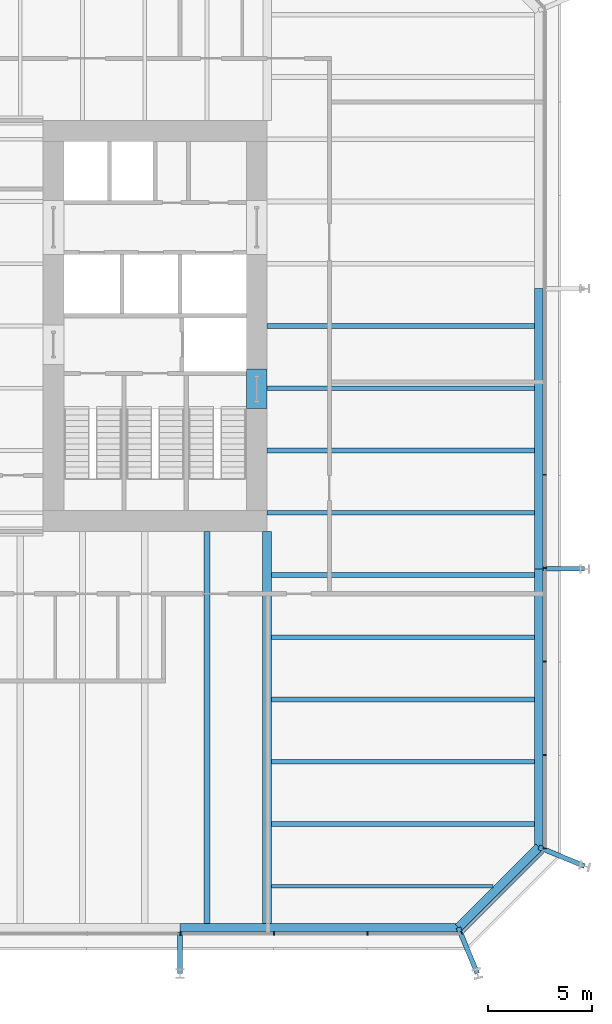
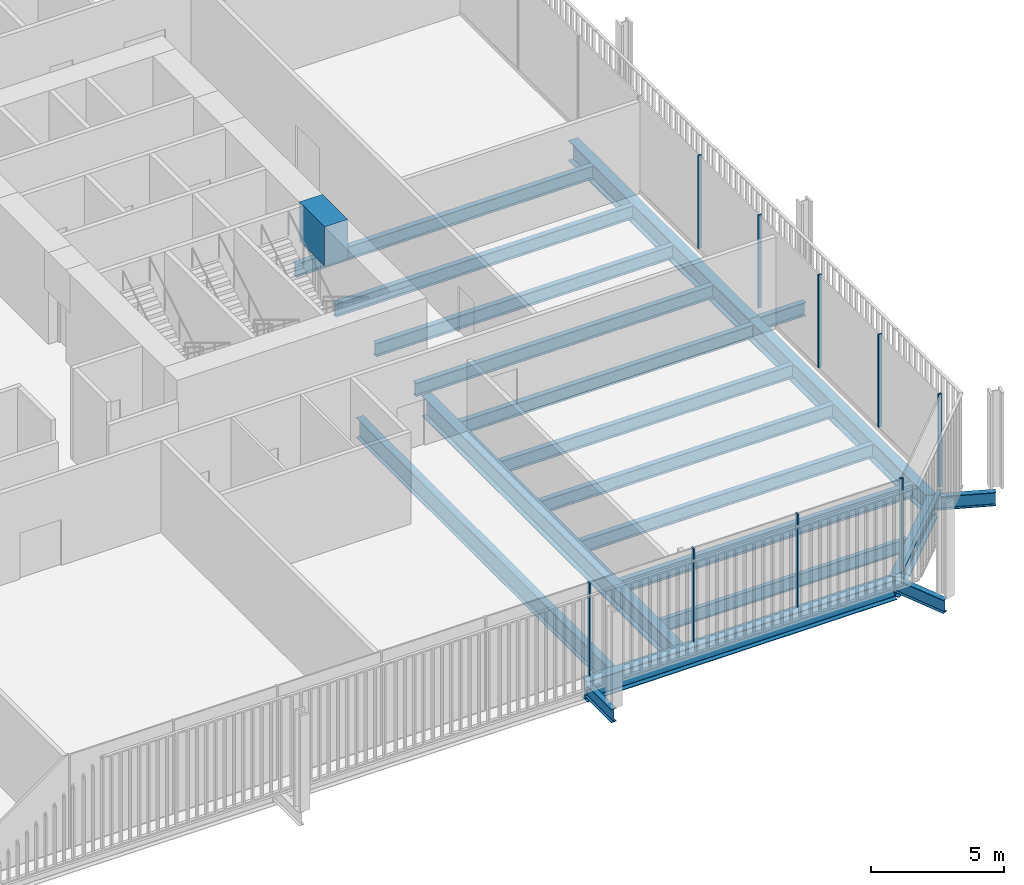
# One storey, part 8 of 20: 21 beams, 10 members, 3 elements without a shape of their own.
"""IFC4 building model written with IfcOpenShell, lengths in metres."""

from ifc_helpers import new_model, si_unit, direction, frame, origin, origin_2d, place, context, subcontext, project, spatial, rectangle, i_section, extrude, material, layer, layer_set, material_profile, profile_set, type_object, element, aggregate, save


model = new_model("IFC4")

# Units and contexts
model_context = context("Model", 3, precision=1e-05, world=origin(), true_north=direction((0.0, 1.0)))
body_context = subcontext(model_context, "Body", "Model", "MODEL_VIEW")
ifc_project = project(units=[si_unit("LENGTHUNIT", "METRE"), si_unit("AREAUNIT", "SQUARE_METRE"), si_unit("VOLUMEUNIT", "CUBIC_METRE"), si_unit("PLANEANGLEUNIT", "RADIAN"), si_unit("MASSUNIT", "GRAM", prefix="KILO")], contexts=[model_context])

# Site, building, storey
site_placement = place(None, origin())
site = spatial("IfcSite", under=ifc_project, at=site_placement, CompositionType="ELEMENT")
building_placement = place(site_placement, origin())
building = spatial("IfcBuilding", under=site, at=building_placement, Name="Millrace Tower", CompositionType="ELEMENT")
storey_placement = place(building_placement, frame((0.0, 0.0, 77.60009765625)))
storey = spatial("IfcBuildingStorey", under=building, at=storey_placement, Name="L17", CompositionType="ELEMENT", Elevation=77.60009765625)

# Curtain wall, members
ifc_material_1 = material(Name="Aluminium and glass", Category="aluminium")
ifc_layer = layer(ifc_material_1, 0.14990234375)
ifc_layer_set = layer_set([ifc_layer], Name="Aluminium and glass")
curtain_wall_type = type_object("IfcCurtainWallType", Name="CW-3 telecom floor curtain wall", PredefinedType="NOTDEFINED", material=ifc_layer_set)
placement = place(storey_placement, origin())
curtain_wall_1 = element("IfcCurtainWall", 1, at=placement, inside=storey, type_object=curtain_wall_type, Name="Curtain wall B-F02 L17", PredefinedType="NOTDEFINED")
ifc_material_2 = material(Name="Aluminium", Category="aluminium")
ifc_material_profile_1 = material_profile(ifc_material_2, rectangle(XDim=0.06494140625, YDim=0.14990234375, at=origin_2d()))
ifc_profile_set_1 = profile_set([ifc_material_profile_1], Name="Aluminium")
member_type_1 = type_object("IfcMemberType", Name="CW-3 telecom floor curtain wall mullion", PredefinedType="MULLION", material=ifc_profile_set_1)
member_1_placement = place(storey_placement, frame((10.732421875, -29.27490234375, 0.14990234375), z_axis=(0.0, 0.0, 1.0), x_axis=(1.0, 0.0, 0.0)))
member_1 = element("IfcMember", 2, at=member_1_placement, type_object=member_type_1, Name="CW3 mullion B-F02.7", PredefinedType="MULLION", context=body_context, shape_type="SweptSolid", body=[
    extrude(rectangle(XDim=0.06494140625, YDim=0.14990234375, at=origin_2d()), origin(), (0.0, 0.0, 1.0), 4.25),
])
member_2_placement = place(storey_placement, frame((15.232421875, -29.27490234375, 0.14990234375), z_axis=(0.0, 0.0, 1.0), x_axis=(1.0, 0.0, 0.0)))
member_2 = element("IfcMember", 3, at=member_2_placement, type_object=member_type_1, Name="CW3 mullion B-F02.8", PredefinedType="MULLION", context=body_context, shape_type="SweptSolid", body=[
    extrude(rectangle(XDim=0.06494140625, YDim=0.14990234375, at=origin_2d()), origin(), (0.0, 0.0, 1.0), 4.25),
])
member_3_placement = place(storey_placement, frame((19.732421875, -29.27490234375, 0.14990234375), z_axis=(0.0, 0.0, 1.0), x_axis=(1.0, 0.0, 0.0)))
member_3 = element("IfcMember", 4, at=member_3_placement, type_object=member_type_1, Name="CW3 mullion B-F02.9", PredefinedType="MULLION", context=body_context, shape_type="SweptSolid", body=[
    extrude(rectangle(XDim=0.06494140625, YDim=0.14990234375, at=origin_2d()), origin(), (0.0, 0.0, 1.0), 4.25),
])
aggregate(curtain_wall_1, [member_1, member_2, member_3])

# Curtain wall, member
curtain_wall_2 = element("IfcCurtainWall", 5, at=placement, inside=storey, type_object=curtain_wall_type, Name="Curtain wall B-F03 L17", PredefinedType="NOTDEFINED")
member_4_placement = place(storey_placement, frame((24.276123046875, -29.22998046875, 0.14990234375), z_axis=(0.0, 0.0, 1.0), x_axis=(0.707106781187, 0.707106781187, 0.0)))
member_4 = element("IfcMember", 6, at=member_4_placement, type_object=member_type_1, Name="CW3 mullion B-F03.1", PredefinedType="MULLION", context=body_context, shape_type="SweptSolid", body=[
    extrude(rectangle(XDim=0.06494140625, YDim=0.14990234375, at=origin_2d()), origin(), (0.0, 0.0, 1.0), 4.25),
])

# Curtain wall, members
curtain_wall_3 = element("IfcCurtainWall", 7, at=placement, inside=storey, type_object=curtain_wall_type, Name="Curtain wall B-F04 L17", PredefinedType="NOTDEFINED")
member_5_placement = place(storey_placement, frame((28.27490234375, -25.16748046875, 0.14990234375), z_axis=(0.0, 0.0, 1.0), x_axis=(0.0, 1.0, 0.0)))
member_5 = element("IfcMember", 8, at=member_5_placement, type_object=member_type_1, Name="CW3 mullion B-F04.1", PredefinedType="MULLION", context=body_context, shape_type="SweptSolid", body=[
    extrude(rectangle(XDim=0.06494140625, YDim=0.14990234375, at=origin_2d()), origin(), (0.0, 0.0, 1.0), 4.25),
])
member_6_placement = place(storey_placement, frame((28.27490234375, -20.66748046875, 0.14990234375), z_axis=(0.0, 0.0, 1.0), x_axis=(0.0, 1.0, 0.0)))
member_6 = element("IfcMember", 9, at=member_6_placement, type_object=member_type_1, Name="CW3 mullion B-F04.2", PredefinedType="MULLION", context=body_context, shape_type="SweptSolid", body=[
    extrude(rectangle(XDim=0.06494140625, YDim=0.14990234375, at=origin_2d()), origin(), (0.0, 0.0, 1.0), 4.25),
])
member_7_placement = place(storey_placement, frame((28.27490234375, -16.16748046875, 0.14990234375), z_axis=(0.0, 0.0, 1.0), x_axis=(0.0, 1.0, 0.0)))
member_7 = element("IfcMember", 10, at=member_7_placement, type_object=member_type_1, Name="CW3 mullion B-F04.3", PredefinedType="MULLION", context=body_context, shape_type="SweptSolid", body=[
    extrude(rectangle(XDim=0.06494140625, YDim=0.14990234375, at=origin_2d()), origin(), (0.0, 0.0, 1.0), 4.25),
])
member_8_placement = place(storey_placement, frame((28.27490234375, -11.66748046875, 0.14990234375), z_axis=(0.0, 0.0, 1.0), x_axis=(0.0, 1.0, 0.0)))
member_8 = element("IfcMember", 11, at=member_8_placement, type_object=member_type_1, Name="CW3 mullion B-F04.4", PredefinedType="MULLION", context=body_context, shape_type="SweptSolid", body=[
    extrude(rectangle(XDim=0.06494140625, YDim=0.14990234375, at=origin_2d()), origin(), (0.0, 0.0, 1.0), 4.25),
])
member_9_placement = place(storey_placement, frame((28.27490234375, -7.16748046875, 0.14990234375), z_axis=(0.0, 0.0, 1.0), x_axis=(0.0, 1.0, 0.0)))
member_9 = element("IfcMember", 12, at=member_9_placement, type_object=member_type_1, Name="CW3 mullion B-F04.5", PredefinedType="MULLION", context=body_context, shape_type="SweptSolid", body=[
    extrude(rectangle(XDim=0.06494140625, YDim=0.14990234375, at=origin_2d()), origin(), (0.0, 0.0, 1.0), 4.25),
])
aggregate(curtain_wall_3, [member_5, member_6, member_7, member_8, member_9])

# Member
ifc_material_3 = material(Name="Aluminium", Category="aluminium")
ifc_material_profile_2 = material_profile(ifc_material_3, rectangle(XDim=0.14990234375, YDim=0.14990234375, at=origin_2d()))
ifc_profile_set_2 = profile_set([ifc_material_profile_2], Name="Aluminium")
member_type_2 = type_object("IfcMemberType", Name="CW-3 telecom floor curtain wall transom", PredefinedType="USERDEFINED", material=ifc_profile_set_2)
member_10_placement = place(storey_placement, frame((24.32373046875, -29.182373046875, 0.074951171875), z_axis=(0.707106781187, 0.707106781187, 0.0), x_axis=(-0.707106781187, 0.707106781187, 0.0)))
member_10 = element("IfcMember", 13, at=member_10_placement, type_object=member_type_2, Name="CW3 transom B-F03.1", ObjectType="TRANSOM", PredefinedType="USERDEFINED", context=body_context, shape_type="SweptSolid", body=[
    extrude(rectangle(XDim=0.14990234375, YDim=0.14990234375, at=origin_2d()), origin(), (0.0, 0.0, 1.0), 5.45703125),
])

aggregate(curtain_wall_2, [member_4, member_10])

# Beams
ifc_material_4 = material(Name="Concrete C80", Category="concrete")
ifc_material_profile_3 = material_profile(ifc_material_4, rectangle(XDim=1.0, YDim=1.800048828125, at=origin_2d()))
ifc_profile_set_3 = profile_set([ifc_material_profile_3], Name="Concrete C80")
beam_type_1 = type_object("IfcBeamType", Name="Coupling beam 1000 x 1800 Concrete C80, 1300 opening", PredefinedType="BEAM", material=ifc_profile_set_3)
beam_1_placement = place(storey_placement, frame((14.39990234375, -2.080078125, 3.2998046875), z_axis=(0.0, -1.0, 0.0), x_axis=(1.0, 0.0, 0.0)))
element("IfcBeam", 14, at=beam_1_placement, inside=storey, type_object=beam_type_1, Name="Coupling beam E L17", PredefinedType="BEAM", context=body_context, shape_type="SweptSolid", body=[
    extrude(rectangle(XDim=1.0, YDim=1.800048828125, at=origin_2d()), origin(), (0.0, 0.0, 1.0), 1.89990234375),
])
ifc_material_5 = material(Name="Steel ASTM A992 Grade 50", Category="steel")
ifc_material_profile_4 = material_profile(ifc_material_5, i_section(OverallWidth=0.1787109375, OverallDepth=0.60205078125, WebThickness=0.010986328125, FlangeThickness=0.014892578125, FilletRadius=0.0126953125, at=origin_2d()))
ifc_profile_set_4 = profile_set([ifc_material_profile_4], Name="Steel ASTM A992 Grade 50")
beam_type_2 = type_object("IfcBeamType", Name="Floor beam W24x62", PredefinedType="JOIST", material=ifc_profile_set_4)
beam_2_placement = place(storey_placement, frame((15.11083984375, -27.0, -0.5009765625), z_axis=(1.0, 0.0, 0.0), x_axis=(0.0, 1.0, 0.0)))
element("IfcBeam", 15, at=beam_2_placement, inside=storey, type_object=beam_type_2, Name="BM-B-L17-S1-S002", PredefinedType="JOIST", context=body_context, shape_type="SweptSolid", body=[
    extrude(i_section(OverallWidth=0.1787109375, OverallDepth=0.60205078125, WebThickness=0.010986328125, FlangeThickness=0.014892578125, FilletRadius=0.0126953125, at=origin_2d()), origin(), (0.0, 0.0, 1.0), 10.67236328125),
])
ifc_material_6 = material(Name="Steel ASTM A992 Grade 50", Category="steel")
ifc_material_profile_5 = material_profile(ifc_material_6, i_section(OverallWidth=0.228271484375, OverallDepth=0.607177734375, WebThickness=0.01123046875, FlangeThickness=0.017333984375, FilletRadius=0.0126953125, at=origin_2d()))
ifc_profile_set_5 = profile_set([ifc_material_profile_5], Name="Steel ASTM A992 Grade 50")
beam_type_3 = type_object("IfcBeamType", Name="Floor beam W24x76", PredefinedType="JOIST", material=ifc_profile_set_5)
for number, where, z_axis, x_axis, name in (
    (16, (15.11083984375, -24.0, -0.503662109375), (1.0, 0.0, 0.0), (0.0, 1.0, 0.0), "BM-B-L17-S1-S004"),
    (17, (15.11083984375, -21.0, -0.503662109375), (1.0, 0.0, 0.0), (0.0, 1.0, 0.0), "BM-B-L17-S1-S006"),
    (18, (15.11083984375, -18.0, -0.503662109375), (1.0, 0.0, 0.0), (0.0, 1.0, 0.0), "BM-B-L17-S1-S008"),
    (19, (15.11083984375, -15.0, -0.503662109375), (1.0, 0.0, 0.0), (0.0, 1.0, 0.0), "BM-B-L17-S1-S010"),
    (20, (15.11083984375, -12.0, -0.503662109375), (1.0, 0.0, 0.0), (0.0, 1.0, 0.0), "BM-B-L17-S1-S012"),
):
    element("IfcBeam", number, at=place(storey_placement, frame(where, z_axis=z_axis, x_axis=x_axis)), inside=storey, type_object=beam_type_3, Name=name, PredefinedType="JOIST", context=body_context, shape_type="SweptSolid", body=[
        extrude(i_section(OverallWidth=0.228271484375, OverallDepth=0.607177734375, WebThickness=0.01123046875, FlangeThickness=0.017333984375, FilletRadius=0.0126953125, at=origin_2d()), origin(), (0.0, 0.0, 1.0), 12.670166015625),
    ])
for number, where, z_axis, x_axis, name in (
    (21, (14.89990234375, -9.0, -0.503662109375), (1.0, 0.0, 0.0), (0.0, 1.0, 0.0), "BM-B-L17-S1-S015"),
    (22, (14.89990234375, -6.0, -0.503662109375), (1.0, 0.0, 0.0), (0.0, 1.0, 0.0), "BM-B-L17-S1-S018"),
    (23, (14.89990234375, -3.0, -0.503662109375), (1.0, 0.0, 0.0), (0.0, 1.0, 0.0), "BM-B-L17-S1-S021"),
    (24, (14.89990234375, 0.0, -0.503662109375), (1.0, 0.0, 0.0), (0.0, 1.0, 0.0), "BM-B-L17-S1-S024"),
):
    element("IfcBeam", number, at=place(storey_placement, frame(where, z_axis=z_axis, x_axis=x_axis)), inside=storey, type_object=beam_type_3, Name=name, PredefinedType="JOIST", context=body_context, shape_type="SweptSolid", body=[
        extrude(i_section(OverallWidth=0.228271484375, OverallDepth=0.607177734375, WebThickness=0.01123046875, FlangeThickness=0.017333984375, FilletRadius=0.0126953125, at=origin_2d()), origin(), (0.0, 0.0, 1.0), 12.881103515625),
    ])
ifc_material_7 = material(Name="Steel ASTM A992 Grade 50", Category="steel")
ifc_material_profile_6 = material_profile(ifc_material_7, i_section(OverallWidth=0.307373046875, OverallDepth=0.927001953125, WebThickness=0.01953125, FlangeThickness=0.031982421875, FilletRadius=0.01904296875, at=origin_2d()))
ifc_profile_set_6 = profile_set([ifc_material_profile_6], Name="Steel ASTM A992 Grade 50")
beam_type_4 = type_object("IfcBeamType", Name="Floor beam W36x194", PredefinedType="JOIST", material=ifc_profile_set_6)
beam_3_placement = place(storey_placement, frame((12.0, -28.781005859375, -0.66357421875), z_axis=(0.0, 1.0, 0.0), x_axis=(-1.0, 0.0, 0.0)))
element("IfcBeam", 25, at=beam_3_placement, inside=storey, type_object=beam_type_4, Name="BM-B-L17-S1-S057", PredefinedType="JOIST", context=body_context, shape_type="SweptSolid", body=[
    extrude(i_section(OverallWidth=0.307373046875, OverallDepth=0.927001953125, WebThickness=0.01953125, FlangeThickness=0.031982421875, FilletRadius=0.01904296875, at=origin_2d()), origin(), (0.0, 0.0, 1.0), 18.881103515625),
])
ifc_material_8 = material(Name="Steel ASTM A992 Grade 50", Category="steel")
ifc_material_profile_7 = material_profile(ifc_material_8, i_section(OverallWidth=0.424072265625, OverallDepth=0.947509765625, WebThickness=0.02392578125, FlangeThickness=0.042724609375, FilletRadius=0.024169921875, at=origin_2d()))
ifc_profile_set_7 = profile_set([ifc_material_profile_7], Name="Steel ASTM A992 Grade 50")
beam_type_5 = type_object("IfcBeamType", Name="Girder medium span W36x302", PredefinedType="BEAM", material=ifc_profile_set_7)
beam_4_placement = place(storey_placement, frame((14.89990234375, -28.781005859375, -0.673828125), z_axis=(0.0, 1.0, 0.0), x_axis=(-1.0, 0.0, 0.0)))
element("IfcBeam", 26, at=beam_4_placement, inside=storey, type_object=beam_type_5, Name="BM-B-L17-S1-G061", PredefinedType="BEAM", context=body_context, shape_type="SweptSolid", body=[
    extrude(i_section(OverallWidth=0.424072265625, OverallDepth=0.947509765625, WebThickness=0.02392578125, FlangeThickness=0.042724609375, FilletRadius=0.024169921875, at=origin_2d()), origin(), (0.0, 0.0, 1.0), 18.881103515625),
])
ifc_material_9 = material(Name="Steel ASTM A992 Grade 50", Category="steel")
ifc_material_profile_8 = material_profile(ifc_material_9, i_section(OverallWidth=0.23046875, OverallDepth=0.6171875, WebThickness=0.01318359375, FlangeThickness=0.022216796875, FilletRadius=0.012939453125, at=origin_2d()))
ifc_profile_set_8 = profile_set([ifc_material_profile_8], Name="Steel ASTM A992 Grade 50")
beam_type_6 = type_object("IfcBeamType", Name="Link beam W24x94", PredefinedType="BEAM", material=ifc_profile_set_8)
beam_5_placement = place(storey_placement, frame((28.199951171875, -11.699951171875, -0.5087890625), z_axis=(1.0, 0.0, 0.0), x_axis=(0.0, 1.0, 0.0)))
element("IfcBeam", 27, at=beam_5_placement, inside=storey, type_object=beam_type_6, Name="LNK-B-L17-S1-11", PredefinedType="BEAM", context=body_context, shape_type="SweptSolid", body=[
    extrude(i_section(OverallWidth=0.23046875, OverallDepth=0.6171875, WebThickness=0.01318359375, FlangeThickness=0.022216796875, FilletRadius=0.012939453125, at=origin_2d()), origin(), (0.0, 0.0, 1.0), 2.0),
])
for number, where, z_axis, x_axis, name in (
    (28, (27.990478515625, -25.11328125, -0.5087890625), (0.923902368833, -0.382628295954, 0.0), (0.382628295954, 0.923902368833, 0.0), "LNK-B-L17-S1-12"),
    (29, (24.11328125, -28.990478515625, -0.5087890625), (0.382628295954, -0.923902368833, 0.0), (0.923902368833, 0.382628295954, 0.0), "LNK-B-L17-S1-13"),
):
    element("IfcBeam", number, at=place(storey_placement, frame(where, z_axis=z_axis, x_axis=x_axis)), inside=storey, type_object=beam_type_6, Name=name, PredefinedType="BEAM", context=body_context, shape_type="SweptSolid", body=[
        extrude(i_section(OverallWidth=0.23046875, OverallDepth=0.6171875, WebThickness=0.01318359375, FlangeThickness=0.022216796875, FilletRadius=0.012939453125, at=origin_2d()), origin(), (0.0, 0.0, 1.0), 2.391357421875),
    ])
beam_6_placement = place(storey_placement, frame((10.699951171875, -29.199951171875, -0.5087890625), z_axis=(0.0, -1.0, 0.0), x_axis=(1.0, 0.0, 0.0)))
element("IfcBeam", 30, at=beam_6_placement, inside=storey, type_object=beam_type_6, Name="LNK-B-L17-S1-14", PredefinedType="BEAM", context=body_context, shape_type="SweptSolid", body=[
    extrude(i_section(OverallWidth=0.23046875, OverallDepth=0.6171875, WebThickness=0.01318359375, FlangeThickness=0.022216796875, FilletRadius=0.012939453125, at=origin_2d()), origin(), (0.0, 0.0, 1.0), 2.0),
])
ifc_material_10 = material(Name="Steel ASTM A992 Grade 50", Category="steel")
ifc_material_profile_9 = material_profile(ifc_material_10, i_section(OverallWidth=0.419189453125, OverallDepth=0.927001953125, WebThickness=0.019287109375, FlangeThickness=0.031982421875, FilletRadius=0.024169921875, at=origin_2d()))
ifc_profile_set_9 = profile_set([ifc_material_profile_9], Name="Steel ASTM A992 Grade 50")
beam_type_7 = type_object("IfcBeamType", Name="Ring beam medium span W36x231", PredefinedType="SPANDREL", material=ifc_profile_set_9)
beam_7_placement = place(storey_placement, frame((27.990478515625, 1.800048828125, -0.66357421875), z_axis=(0.0, -1.0, 0.0), x_axis=(1.0, 0.0, 0.0)))
element("IfcBeam", 31, at=beam_7_placement, inside=storey, type_object=beam_type_7, Name="RNG-B-L17-S1-10", PredefinedType="SPANDREL", context=body_context, shape_type="SweptSolid", body=[
    extrude(i_section(OverallWidth=0.419189453125, OverallDepth=0.927001953125, WebThickness=0.019287109375, FlangeThickness=0.031982421875, FilletRadius=0.024169921875, at=origin_2d()), origin(), (0.0, 0.0, 1.0), 13.5),
])
for number, where, z_axis, x_axis, name in (
    (32, (27.990478515625, -11.699951171875, -0.66357421875), (0.0, -1.0, 0.0), (1.0, 0.0, 0.0), "RNG-B-L17-S1-11"),
    (33, (24.11328125, -28.990478515625, -0.66357421875), (-1.0, 0.0, 0.0), (0.0, -1.0, 0.0), "RNG-B-L17-S1-13"),
):
    element("IfcBeam", number, at=place(storey_placement, frame(where, z_axis=z_axis, x_axis=x_axis)), inside=storey, type_object=beam_type_7, Name=name, PredefinedType="SPANDREL", context=body_context, shape_type="SweptSolid", body=[
        extrude(i_section(OverallWidth=0.419189453125, OverallDepth=0.927001953125, WebThickness=0.019287109375, FlangeThickness=0.031982421875, FilletRadius=0.024169921875, at=origin_2d()), origin(), (0.0, 0.0, 1.0), 13.413330078125),
    ])
ifc_material_11 = material(Name="Steel ASTM A992 Grade 50", Category="steel")
ifc_material_profile_10 = material_profile(ifc_material_11, i_section(OverallWidth=0.419189453125, OverallDepth=0.927001953125, WebThickness=0.019287109375, FlangeThickness=0.031982421875, FilletRadius=0.024169921875, at=origin_2d()))
ifc_profile_set_10 = profile_set([ifc_material_profile_10], Name="Steel ASTM A992 Grade 50")
beam_type_8 = type_object("IfcBeamType", Name="Ring beam short span W36x231", PredefinedType="SPANDREL", material=ifc_profile_set_10)
beam_8_placement = place(storey_placement, frame((27.990478515625, -25.11328125, -0.66357421875), z_axis=(-0.707106781187, -0.707106781187, 0.0), x_axis=(0.707106781187, -0.707106781187, 0.0)))
element("IfcBeam", 34, at=beam_8_placement, inside=storey, type_object=beam_type_8, Name="RNG-B-L17-S1-12", PredefinedType="SPANDREL", context=body_context, shape_type="SweptSolid", body=[
    extrude(i_section(OverallWidth=0.419189453125, OverallDepth=0.927001953125, WebThickness=0.019287109375, FlangeThickness=0.031982421875, FilletRadius=0.024169921875, at=origin_2d()), origin(), (0.0, 0.0, 1.0), 5.483154296875),
])

save(model, "model.ifc")
